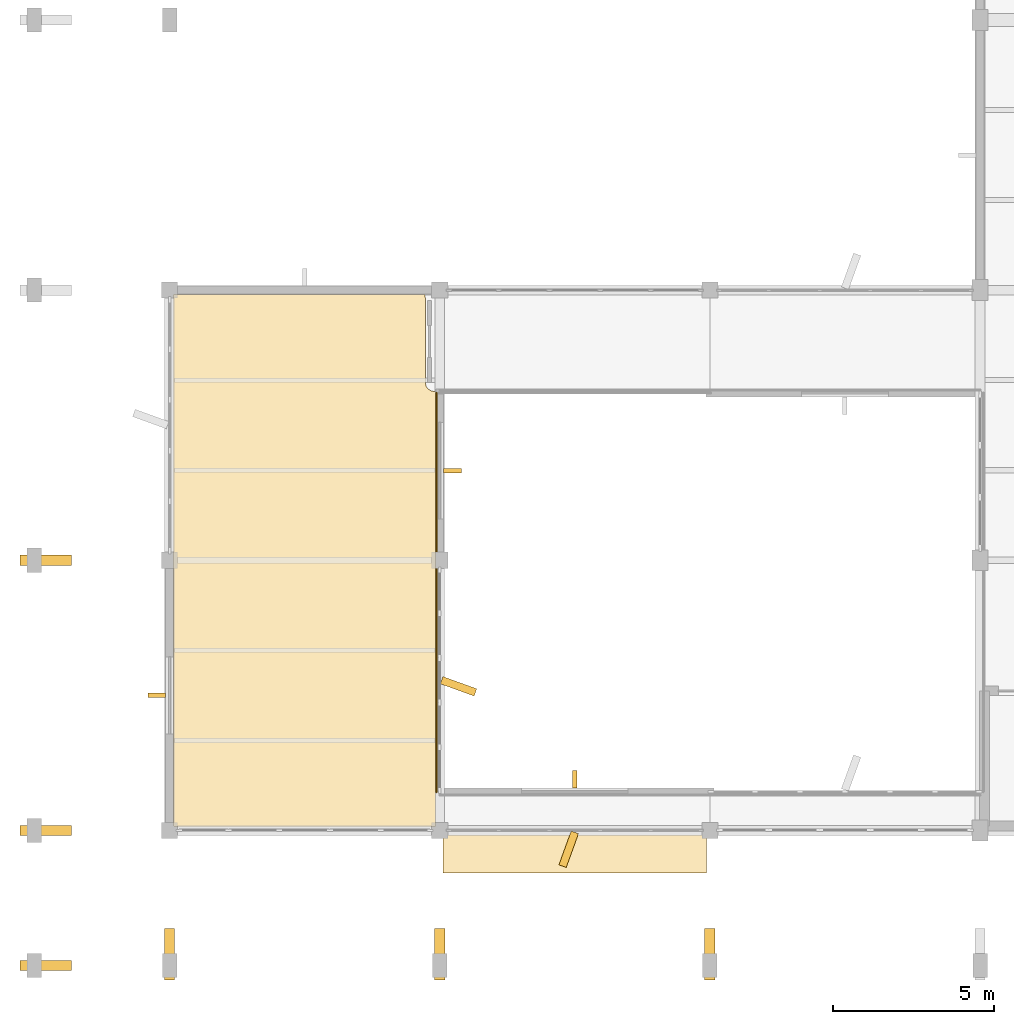
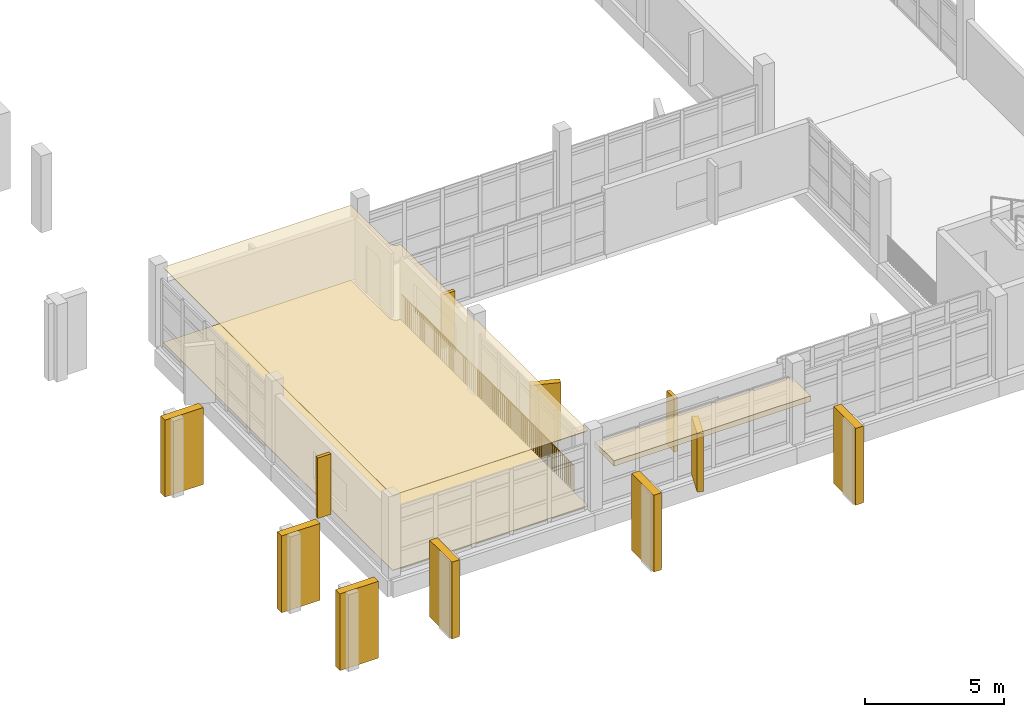
# One storey, part 75 of 104: 11 coverings, 3 shading devices, 1 railing.
"""IFC4 building model written with IfcOpenShell, lengths in metres."""

from ifc_helpers import new_model, si_unit, direction, frame, origin, origin_2d, place, context, subcontext, project, spatial, polyline, rectangle, circle, outline, extrude, material, layer, layer_set, type_object, element, save


model = new_model("IFC4")

# Units and contexts
model_context = context("Model", 3, precision=1e-05, world=origin(), true_north=direction((0.0, 1.0)))
body_context = subcontext(model_context, "Body", "Model", "MODEL_VIEW")
ifc_project = project(units=[si_unit("LENGTHUNIT", "METRE"), si_unit("AREAUNIT", "SQUARE_METRE"), si_unit("VOLUMEUNIT", "CUBIC_METRE"), si_unit("PLANEANGLEUNIT", "RADIAN"), si_unit("MASSUNIT", "GRAM", prefix="KILO")], contexts=[model_context])

# Site, building, storey
site_placement = place(None, origin())
site = spatial("IfcSite", under=ifc_project, at=site_placement, CompositionType="ELEMENT")
building_placement = place(site_placement, origin())
building = spatial("IfcBuilding", under=site, at=building_placement, Name="Vanh Quang Courtyard School", CompositionType="ELEMENT")
storey_placement = place(building_placement, frame((0.0, 0.0, 4.199951171875)))
storey = spatial("IfcBuildingStorey", under=building, at=storey_placement, Name="L01", CompositionType="ELEMENT", Elevation=4.199951171875)

# Coverings
ifc_material_1 = material(Name="Perforated mineral-fibre acoustic ceiling board")
ifc_layer_1 = layer(ifc_material_1, 0.02490234375)
ifc_layer_set_1 = layer_set([ifc_layer_1], Name="Perforated mineral-fibre acoustic ceiling board")
covering_type_1 = type_object("IfcCoveringType", Name="COV-CEIL-ACOUSTIC", PredefinedType="CEILING", material=ifc_layer_set_1)
covering_1_placement = place(storey_placement, frame((0.0, 0.0, 3.295166015625)))
element("IfcCovering", 1, at=covering_1_placement, inside=storey, type_object=covering_type_1, Name="Covering CV-CL1 (L01)", PredefinedType="CEILING", context=body_context, shape_type="SweptSolid", body=[
    extrude(outline(polyline([(4.330078125, 20.860107421875), (4.330078125, 20.861083984375), (4.330078125, 20.862060546875), (4.330322265625, 20.86279296875), (4.330810546875, 20.86376953125), (4.331298828125, 20.86474609375), (4.331787109375, 20.865478515625), (4.332275390625, 20.8662109375), (4.3330078125, 20.8671875), (4.333740234375, 20.86767578125), (4.33447265625, 20.868408203125), (4.335205078125, 20.868896484375), (4.336181640625, 20.869140625), (4.337158203125, 20.86962890625), (4.337890625, 20.869873046875), (4.339111328125, 20.8701171875), (4.340087890625, 20.8701171875), (12.139892578125, 20.8701171875), (12.14111328125, 20.8701171875), (12.141845703125, 20.869873046875), (12.142822265625, 20.86962890625), (12.143798828125, 20.869140625), (12.144775390625, 20.868896484375), (12.1455078125, 20.868408203125), (12.146240234375, 20.86767578125), (12.147216796875, 20.8671875), (12.147705078125, 20.8662109375), (12.148193359375, 20.865478515625), (12.148681640625, 20.86474609375), (12.149169921875, 20.86376953125), (12.149658203125, 20.86279296875), (12.14990234375, 20.862060546875), (12.14990234375, 20.861083984375), (12.14990234375, 20.860107421875), (12.15234375, 18.105224609375), (12.181396484375, 18.0087890625), (12.2119140625, 17.961181640625), (12.251220703125, 17.920166015625), (12.297607421875, 17.8876953125), (12.349609375, 17.864501953125), (12.405029296875, 17.852294921875), (12.46044921875, 17.85009765625), (12.46142578125, 17.849853515625), (12.46240234375, 17.849609375), (12.463134765625, 17.849609375), (12.464111328125, 17.84912109375), (12.465087890625, 17.8486328125), (12.4658203125, 17.84814453125), (12.466552734375, 17.84765625), (12.46728515625, 17.846923828125), (12.4677734375, 17.84619140625), (12.468505859375, 17.845458984375), (12.468994140625, 17.844482421875), (12.46923828125, 17.84375), (12.469482421875, 17.8427734375), (12.4697265625, 17.841796875), (12.469970703125, 17.841064453125), (12.469970703125, 17.840087890625), (12.469970703125, 4.340087890625), (12.469970703125, 4.339111328125), (12.4697265625, 4.337890625), (12.469482421875, 4.337158203125), (12.46923828125, 4.336181640625), (12.46875, 4.335205078125), (12.46826171875, 4.33447265625), (12.4677734375, 4.333740234375), (12.467041015625, 4.3330078125), (12.46630859375, 4.332275390625), (12.465576171875, 4.331787109375), (12.464599609375, 4.331298828125), (12.4638671875, 4.330810546875), (12.462890625, 4.330322265625), (12.4619140625, 4.330078125), (12.4609375, 4.330078125), (12.4599609375, 4.330078125), (4.340087890625, 4.330078125), (4.339111328125, 4.330078125), (4.337890625, 4.330078125), (4.337158203125, 4.330322265625), (4.336181640625, 4.330810546875), (4.335205078125, 4.331298828125), (4.33447265625, 4.331787109375), (4.333740234375, 4.332275390625), (4.3330078125, 4.3330078125), (4.332275390625, 4.333740234375), (4.331787109375, 4.33447265625), (4.331298828125, 4.335205078125), (4.330810546875, 4.336181640625), (4.330322265625, 4.337158203125), (4.330078125, 4.337890625), (4.330078125, 4.339111328125), (4.330078125, 4.340087890625), (4.330078125, 20.860107421875)])), origin(), (0.0, 0.0, 1.0), 0.02490234375),
])
ifc_material_2 = material(Name="Polished cementitious terrazzo tile", Category="concrete")
ifc_layer_2 = layer(ifc_material_2, 0.02001953125)
ifc_layer_set_2 = layer_set([ifc_layer_2], Name="Polished cementitious terrazzo tile")
covering_type_2 = type_object("IfcCoveringType", Name="COV-FLR-TERRAZZO", PredefinedType="FLOORING", material=ifc_layer_set_2)
covering_2_placement = place(storey_placement, origin())
element("IfcCovering", 2, at=covering_2_placement, inside=storey, type_object=covering_type_2, Name="Covering CV-FL1 (L01)", PredefinedType="FLOORING", context=body_context, shape_type="SweptSolid", body=[
    extrude(outline(polyline([(4.330078125, 20.860107421875), (4.330078125, 20.861083984375), (4.330078125, 20.862060546875), (4.330322265625, 20.86279296875), (4.330810546875, 20.86376953125), (4.331298828125, 20.86474609375), (4.331787109375, 20.865478515625), (4.332275390625, 20.8662109375), (4.3330078125, 20.8671875), (4.333740234375, 20.86767578125), (4.33447265625, 20.868408203125), (4.335205078125, 20.868896484375), (4.336181640625, 20.869140625), (4.337158203125, 20.86962890625), (4.337890625, 20.869873046875), (4.339111328125, 20.8701171875), (4.340087890625, 20.8701171875), (12.139892578125, 20.8701171875), (12.14111328125, 20.8701171875), (12.141845703125, 20.869873046875), (12.142822265625, 20.86962890625), (12.143798828125, 20.869140625), (12.144775390625, 20.868896484375), (12.1455078125, 20.868408203125), (12.146240234375, 20.86767578125), (12.147216796875, 20.8671875), (12.147705078125, 20.8662109375), (12.148193359375, 20.865478515625), (12.148681640625, 20.86474609375), (12.149169921875, 20.86376953125), (12.149658203125, 20.86279296875), (12.14990234375, 20.862060546875), (12.14990234375, 20.861083984375), (12.14990234375, 20.860107421875), (12.15234375, 18.105224609375), (12.181396484375, 18.0087890625), (12.2119140625, 17.961181640625), (12.251220703125, 17.920166015625), (12.297607421875, 17.8876953125), (12.349609375, 17.864501953125), (12.405029296875, 17.852294921875), (12.46044921875, 17.85009765625), (12.46142578125, 17.849853515625), (12.46240234375, 17.849609375), (12.463134765625, 17.849609375), (12.464111328125, 17.84912109375), (12.465087890625, 17.8486328125), (12.4658203125, 17.84814453125), (12.466552734375, 17.84765625), (12.46728515625, 17.846923828125), (12.4677734375, 17.84619140625), (12.468505859375, 17.845458984375), (12.468994140625, 17.844482421875), (12.46923828125, 17.84375), (12.469482421875, 17.8427734375), (12.4697265625, 17.841796875), (12.469970703125, 17.841064453125), (12.469970703125, 17.840087890625), (12.469970703125, 4.340087890625), (12.469970703125, 4.339111328125), (12.4697265625, 4.337890625), (12.469482421875, 4.337158203125), (12.46923828125, 4.336181640625), (12.46875, 4.335205078125), (12.46826171875, 4.33447265625), (12.4677734375, 4.333740234375), (12.467041015625, 4.3330078125), (12.46630859375, 4.332275390625), (12.465576171875, 4.331787109375), (12.464599609375, 4.331298828125), (12.4638671875, 4.330810546875), (12.462890625, 4.330322265625), (12.4619140625, 4.330078125), (12.4609375, 4.330078125), (12.4599609375, 4.330078125), (4.340087890625, 4.330078125), (4.339111328125, 4.330078125), (4.337890625, 4.330078125), (4.337158203125, 4.330322265625), (4.336181640625, 4.330810546875), (4.335205078125, 4.331298828125), (4.33447265625, 4.331787109375), (4.333740234375, 4.332275390625), (4.3330078125, 4.3330078125), (4.332275390625, 4.333740234375), (4.331787109375, 4.33447265625), (4.331298828125, 4.335205078125), (4.330810546875, 4.336181640625), (4.330322265625, 4.337158203125), (4.330078125, 4.337890625), (4.330078125, 4.339111328125), (4.330078125, 4.340087890625), (4.330078125, 20.860107421875)])), origin(), (0.0, 0.0, 1.0), 0.02001953125),
])
ifc_material_3 = material(Name="Board-marked precast concrete C40/50", Category="concrete")
ifc_layer_3 = layer(ifc_material_3, 0.239990234375)
ifc_layer_set_3 = layer_set([ifc_layer_3], Name="Board-marked precast concrete C40/50")
covering_type_3 = type_object("IfcCoveringType", Name="COV-HOOD-CONC", PredefinedType="CLADDING", material=ifc_layer_set_3)
covering_3_placement = place(storey_placement, frame((16.800048828125, 3.580078125, 2.5400390625), z_axis=(0.0, 0.0, 1.0), x_axis=(-1.0, 0.0, 0.0)))
element("IfcCovering", 3, at=covering_3_placement, inside=storey, type_object=covering_type_3, Name="Covering CH-01 (L01)", PredefinedType="CLADDING", context=body_context, shape_type="SweptSolid", body=[
    extrude(rectangle(XDim=8.18408203125, YDim=1.39990234375, at=origin_2d()), origin(), (0.0, 0.0, 1.0), 0.239990234375),
])
for number, where, z_axis, x_axis, name in (
    (4, (16.610107421875, 3.614990234375, 0.0), (0.0, 0.0, 1.0), (-0.340379550213, -0.94028812701, 0.0), "Covering CH-01 (L01)"),
    (5, (13.18505859375, 8.680908203125, 0.0), (0.0, 0.0, 1.0), (0.94028812701, -0.340379550213, 0.0), "Covering CH-01 (L01)"),
):
    element("IfcCovering", number, at=place(storey_placement, frame(where, z_axis=z_axis, x_axis=x_axis)), inside=storey, type_object=covering_type_3, Name=name, PredefinedType="CLADDING", context=body_context, shape_type="SweptSolid", body=[
        extrude(rectangle(XDim=1.11669921875, YDim=0.239990234375, at=origin_2d()), origin(), (0.0, 0.0, 1.0), 2.56005859375),
    ])
for number, where, z_axis, x_axis, name in (
    (6, (0.35009765625, 0.0, 0.0), (0.0, 0.0, 1.0), (1.0, 0.0, 0.0), "Covering CH-01 (L01)"),
    (7, (0.35009765625, 4.199951171875, 0.0), (0.0, 0.0, 1.0), (1.0, 0.0, 0.0), "Covering CH-01 (L01)"),
    (8, (0.35009765625, 12.60009765625, 0.0), (0.0, 0.0, 1.0), (1.0, 0.0, 0.0), "Covering CH-01 (L01)"),
    (9, (4.199951171875, 0.35009765625, 0.0), (0.0, 0.0, 1.0), (0.0, 1.0, 0.0), "Covering CH-01 (L01)"),
    (10, (12.60009765625, 0.35009765625, 0.0), (0.0, 0.0, 1.0), (0.0, 1.0, 0.0), "Covering CH-01 (L01)"),
    (11, (21.0, 0.35009765625, 0.0), (0.0, 0.0, 1.0), (0.0, 1.0, 0.0), "Covering CH-01 (L01)"),
):
    element("IfcCovering", number, at=place(storey_placement, frame(where, z_axis=z_axis, x_axis=x_axis)), inside=storey, type_object=covering_type_3, Name=name, PredefinedType="CLADDING", context=body_context, shape_type="SweptSolid", body=[
        extrude(rectangle(XDim=1.60009765625, YDim=0.320068359375, at=origin_2d()), origin(), (0.0, 0.0, 1.0), 3.3798828125),
    ])

# Railing
ifc_material_4 = material(Name="Galvanised painted steel EN 10025-2 S355J2", Category="steel")
railing_type = type_object("IfcRailingType", Name="RAIL-GUARD-1150", PredefinedType="BALUSTRADE", material=ifc_material_4)
railing_placement = place(storey_placement, frame((12.5, 17.800048828125, 0.0)))
element("IfcRailing", 12, at=railing_placement, inside=storey, type_object=railing_type, Name="Railing GR-01 (L01)", PredefinedType="BALUSTRADE", context=body_context, shape_type="SweptSolid", body=[
    extrude(circle(Radius=0.02392578125, at=origin_2d()), frame((0.0, 0.0, 1.1259765625), z_axis=(0.0, -1.0, 0.0), x_axis=(1.0, 0.0, 0.0)), (0.0, 0.0, 1.0), 12.400146484375),
    extrude(circle(Radius=0.02099609375, at=origin_2d()), origin(), (0.0, 0.0, 1.0), 1.101806640625),
    extrude(circle(Radius=0.02099609375, at=origin_2d()), frame((0.0, -0.139404296875, 0.0)), (0.0, 0.0, 1.0), 1.101806640625),
    extrude(circle(Radius=0.02099609375, at=origin_2d()), frame((0.0, -0.278564453125, 0.0)), (0.0, 0.0, 1.0), 1.101806640625),
    extrude(circle(Radius=0.02099609375, at=origin_2d()), frame((0.0, -0.41796875, 0.0)), (0.0, 0.0, 1.0), 1.101806640625),
    extrude(circle(Radius=0.02099609375, at=origin_2d()), frame((0.0, -0.557373046875, 0.0)), (0.0, 0.0, 1.0), 1.101806640625),
    extrude(circle(Radius=0.02099609375, at=origin_2d()), frame((0.0, -0.696533203125, 0.0)), (0.0, 0.0, 1.0), 1.101806640625),
    extrude(circle(Radius=0.02099609375, at=origin_2d()), frame((0.0, -0.8359375, 0.0)), (0.0, 0.0, 1.0), 1.101806640625),
    extrude(circle(Radius=0.02099609375, at=origin_2d()), frame((0.0, -0.975341796875, 0.0)), (0.0, 0.0, 1.0), 1.101806640625),
    extrude(circle(Radius=0.02099609375, at=origin_2d()), frame((0.0, -1.114501953125, 0.0)), (0.0, 0.0, 1.0), 1.101806640625),
    extrude(circle(Radius=0.02099609375, at=origin_2d()), frame((0.0, -1.25390625, 0.0)), (0.0, 0.0, 1.0), 1.101806640625),
    extrude(circle(Radius=0.02099609375, at=origin_2d()), frame((0.0, -1.393310546875, 0.0)), (0.0, 0.0, 1.0), 1.101806640625),
    extrude(circle(Radius=0.02099609375, at=origin_2d()), frame((0.0, -1.53271484375, 0.0)), (0.0, 0.0, 1.0), 1.101806640625),
    extrude(circle(Radius=0.02099609375, at=origin_2d()), frame((0.0, -1.671875, 0.0)), (0.0, 0.0, 1.0), 1.101806640625),
    extrude(circle(Radius=0.02099609375, at=origin_2d()), frame((0.0, -1.811279296875, 0.0)), (0.0, 0.0, 1.0), 1.101806640625),
    extrude(circle(Radius=0.02099609375, at=origin_2d()), frame((0.0, -1.95068359375, 0.0)), (0.0, 0.0, 1.0), 1.101806640625),
    extrude(circle(Radius=0.02099609375, at=origin_2d()), frame((0.0, -2.08984375, 0.0)), (0.0, 0.0, 1.0), 1.101806640625),
    extrude(circle(Radius=0.02099609375, at=origin_2d()), frame((0.0, -2.229248046875, 0.0)), (0.0, 0.0, 1.0), 1.101806640625),
    extrude(circle(Radius=0.02099609375, at=origin_2d()), frame((0.0, -2.36865234375, 0.0)), (0.0, 0.0, 1.0), 1.101806640625),
    extrude(circle(Radius=0.02099609375, at=origin_2d()), frame((0.0, -2.5078125, 0.0)), (0.0, 0.0, 1.0), 1.101806640625),
    extrude(circle(Radius=0.02099609375, at=origin_2d()), frame((0.0, -2.647216796875, 0.0)), (0.0, 0.0, 1.0), 1.101806640625),
    extrude(circle(Radius=0.02099609375, at=origin_2d()), frame((0.0, -2.78662109375, 0.0)), (0.0, 0.0, 1.0), 1.101806640625),
    extrude(circle(Radius=0.02099609375, at=origin_2d()), frame((0.0, -2.92578125, 0.0)), (0.0, 0.0, 1.0), 1.101806640625),
    extrude(circle(Radius=0.02099609375, at=origin_2d()), frame((0.0, -3.065185546875, 0.0)), (0.0, 0.0, 1.0), 1.101806640625),
    extrude(circle(Radius=0.02099609375, at=origin_2d()), frame((0.0, -3.20458984375, 0.0)), (0.0, 0.0, 1.0), 1.101806640625),
    extrude(circle(Radius=0.02099609375, at=origin_2d()), frame((0.0, -3.34375, 0.0)), (0.0, 0.0, 1.0), 1.101806640625),
    extrude(circle(Radius=0.02099609375, at=origin_2d()), frame((0.0, -3.483154296875, 0.0)), (0.0, 0.0, 1.0), 1.101806640625),
    extrude(circle(Radius=0.02099609375, at=origin_2d()), frame((0.0, -3.62255859375, 0.0)), (0.0, 0.0, 1.0), 1.101806640625),
    extrude(circle(Radius=0.02099609375, at=origin_2d()), frame((0.0, -3.761962890625, 0.0)), (0.0, 0.0, 1.0), 1.101806640625),
    extrude(circle(Radius=0.02099609375, at=origin_2d()), frame((0.0, -3.901123046875, 0.0)), (0.0, 0.0, 1.0), 1.101806640625),
    extrude(circle(Radius=0.02099609375, at=origin_2d()), frame((0.0, -4.04052734375, 0.0)), (0.0, 0.0, 1.0), 1.101806640625),
    extrude(circle(Radius=0.02099609375, at=origin_2d()), frame((0.0, -4.179931640625, 0.0)), (0.0, 0.0, 1.0), 1.101806640625),
    extrude(circle(Radius=0.02099609375, at=origin_2d()), frame((0.0, -4.319091796875, 0.0)), (0.0, 0.0, 1.0), 1.101806640625),
    extrude(circle(Radius=0.02099609375, at=origin_2d()), frame((0.0, -4.45849609375, 0.0)), (0.0, 0.0, 1.0), 1.101806640625),
    extrude(circle(Radius=0.02099609375, at=origin_2d()), frame((0.0, -4.597900390625, 0.0)), (0.0, 0.0, 1.0), 1.101806640625),
    extrude(circle(Radius=0.02099609375, at=origin_2d()), frame((0.0, -4.737060546875, 0.0)), (0.0, 0.0, 1.0), 1.101806640625),
    extrude(circle(Radius=0.02099609375, at=origin_2d()), frame((0.0, -4.87646484375, 0.0)), (0.0, 0.0, 1.0), 1.101806640625),
    extrude(circle(Radius=0.02099609375, at=origin_2d()), frame((0.0, -5.015869140625, 0.0)), (0.0, 0.0, 1.0), 1.101806640625),
    extrude(circle(Radius=0.02099609375, at=origin_2d()), frame((0.0, -5.155029296875, 0.0)), (0.0, 0.0, 1.0), 1.101806640625),
    extrude(circle(Radius=0.02099609375, at=origin_2d()), frame((0.0, -5.29443359375, 0.0)), (0.0, 0.0, 1.0), 1.101806640625),
    extrude(circle(Radius=0.02099609375, at=origin_2d()), frame((0.0, -5.433837890625, 0.0)), (0.0, 0.0, 1.0), 1.101806640625),
    extrude(circle(Radius=0.02099609375, at=origin_2d()), frame((0.0, -5.572998046875, 0.0)), (0.0, 0.0, 1.0), 1.101806640625),
    extrude(circle(Radius=0.02099609375, at=origin_2d()), frame((0.0, -5.71240234375, 0.0)), (0.0, 0.0, 1.0), 1.101806640625),
    extrude(circle(Radius=0.02099609375, at=origin_2d()), frame((0.0, -5.851806640625, 0.0)), (0.0, 0.0, 1.0), 1.101806640625),
    extrude(circle(Radius=0.02099609375, at=origin_2d()), frame((0.0, -5.990966796875, 0.0)), (0.0, 0.0, 1.0), 1.101806640625),
    extrude(circle(Radius=0.02099609375, at=origin_2d()), frame((0.0, -6.13037109375, 0.0)), (0.0, 0.0, 1.0), 1.101806640625),
    extrude(circle(Radius=0.02099609375, at=origin_2d()), frame((0.0, -6.269775390625, 0.0)), (0.0, 0.0, 1.0), 1.101806640625),
    extrude(circle(Radius=0.02099609375, at=origin_2d()), frame((0.0, -6.4091796875, 0.0)), (0.0, 0.0, 1.0), 1.101806640625),
    extrude(circle(Radius=0.02099609375, at=origin_2d()), frame((0.0, -6.54833984375, 0.0)), (0.0, 0.0, 1.0), 1.101806640625),
    extrude(circle(Radius=0.02099609375, at=origin_2d()), frame((0.0, -6.687744140625, 0.0)), (0.0, 0.0, 1.0), 1.101806640625),
    extrude(circle(Radius=0.02099609375, at=origin_2d()), frame((0.0, -6.8271484375, 0.0)), (0.0, 0.0, 1.0), 1.101806640625),
    extrude(circle(Radius=0.02099609375, at=origin_2d()), frame((0.0, -6.96630859375, 0.0)), (0.0, 0.0, 1.0), 1.101806640625),
    extrude(circle(Radius=0.02099609375, at=origin_2d()), frame((0.0, -7.105712890625, 0.0)), (0.0, 0.0, 1.0), 1.101806640625),
    extrude(circle(Radius=0.02099609375, at=origin_2d()), frame((0.0, -7.2451171875, 0.0)), (0.0, 0.0, 1.0), 1.101806640625),
    extrude(circle(Radius=0.02099609375, at=origin_2d()), frame((0.0, -7.38427734375, 0.0)), (0.0, 0.0, 1.0), 1.101806640625),
    extrude(circle(Radius=0.02099609375, at=origin_2d()), frame((0.0, -7.523681640625, 0.0)), (0.0, 0.0, 1.0), 1.101806640625),
    extrude(circle(Radius=0.02099609375, at=origin_2d()), frame((0.0, -7.6630859375, 0.0)), (0.0, 0.0, 1.0), 1.101806640625),
    extrude(circle(Radius=0.02099609375, at=origin_2d()), frame((0.0, -7.80224609375, 0.0)), (0.0, 0.0, 1.0), 1.101806640625),
    extrude(circle(Radius=0.02099609375, at=origin_2d()), frame((0.0, -7.941650390625, 0.0)), (0.0, 0.0, 1.0), 1.101806640625),
    extrude(circle(Radius=0.02099609375, at=origin_2d()), frame((0.0, -8.0810546875, 0.0)), (0.0, 0.0, 1.0), 1.101806640625),
    extrude(circle(Radius=0.02099609375, at=origin_2d()), frame((0.0, -8.22021484375, 0.0)), (0.0, 0.0, 1.0), 1.101806640625),
    extrude(circle(Radius=0.02099609375, at=origin_2d()), frame((0.0, -8.359619140625, 0.0)), (0.0, 0.0, 1.0), 1.101806640625),
    extrude(circle(Radius=0.02099609375, at=origin_2d()), frame((0.0, -8.4990234375, 0.0)), (0.0, 0.0, 1.0), 1.101806640625),
    extrude(circle(Radius=0.02099609375, at=origin_2d()), frame((0.0, -8.63818359375, 0.0)), (0.0, 0.0, 1.0), 1.101806640625),
    extrude(circle(Radius=0.02099609375, at=origin_2d()), frame((0.0, -8.777587890625, 0.0)), (0.0, 0.0, 1.0), 1.101806640625),
    extrude(circle(Radius=0.02099609375, at=origin_2d()), frame((0.0, -8.9169921875, 0.0)), (0.0, 0.0, 1.0), 1.101806640625),
    extrude(circle(Radius=0.02099609375, at=origin_2d()), frame((0.0, -9.056396484375, 0.0)), (0.0, 0.0, 1.0), 1.101806640625),
    extrude(circle(Radius=0.02099609375, at=origin_2d()), frame((0.0, -9.195556640625, 0.0)), (0.0, 0.0, 1.0), 1.101806640625),
    extrude(circle(Radius=0.02099609375, at=origin_2d()), frame((0.0, -9.3349609375, 0.0)), (0.0, 0.0, 1.0), 1.101806640625),
    extrude(circle(Radius=0.02099609375, at=origin_2d()), frame((0.0, -9.474365234375, 0.0)), (0.0, 0.0, 1.0), 1.101806640625),
    extrude(circle(Radius=0.02099609375, at=origin_2d()), frame((0.0, -9.613525390625, 0.0)), (0.0, 0.0, 1.0), 1.101806640625),
    extrude(circle(Radius=0.02099609375, at=origin_2d()), frame((0.0, -9.7529296875, 0.0)), (0.0, 0.0, 1.0), 1.101806640625),
    extrude(circle(Radius=0.02099609375, at=origin_2d()), frame((0.0, -9.892333984375, 0.0)), (0.0, 0.0, 1.0), 1.101806640625),
    extrude(circle(Radius=0.02099609375, at=origin_2d()), frame((0.0, -10.031494140625, 0.0)), (0.0, 0.0, 1.0), 1.101806640625),
    extrude(circle(Radius=0.02099609375, at=origin_2d()), frame((0.0, -10.1708984375, 0.0)), (0.0, 0.0, 1.0), 1.101806640625),
    extrude(circle(Radius=0.02099609375, at=origin_2d()), frame((0.0, -10.310302734375, 0.0)), (0.0, 0.0, 1.0), 1.101806640625),
    extrude(circle(Radius=0.02099609375, at=origin_2d()), frame((0.0, -10.449462890625, 0.0)), (0.0, 0.0, 1.0), 1.101806640625),
    extrude(circle(Radius=0.02099609375, at=origin_2d()), frame((0.0, -10.5888671875, 0.0)), (0.0, 0.0, 1.0), 1.101806640625),
    extrude(circle(Radius=0.02099609375, at=origin_2d()), frame((0.0, -10.728271484375, 0.0)), (0.0, 0.0, 1.0), 1.101806640625),
    extrude(circle(Radius=0.02099609375, at=origin_2d()), frame((0.0, -10.867431640625, 0.0)), (0.0, 0.0, 1.0), 1.101806640625),
    extrude(circle(Radius=0.02099609375, at=origin_2d()), frame((0.0, -11.0068359375, 0.0)), (0.0, 0.0, 1.0), 1.101806640625),
    extrude(circle(Radius=0.02099609375, at=origin_2d()), frame((0.0, -11.146240234375, 0.0)), (0.0, 0.0, 1.0), 1.101806640625),
    extrude(circle(Radius=0.02099609375, at=origin_2d()), frame((0.0, -11.28564453125, 0.0)), (0.0, 0.0, 1.0), 1.101806640625),
    extrude(circle(Radius=0.02099609375, at=origin_2d()), frame((0.0, -11.4248046875, 0.0)), (0.0, 0.0, 1.0), 1.101806640625),
    extrude(circle(Radius=0.02099609375, at=origin_2d()), frame((0.0, -11.564208984375, 0.0)), (0.0, 0.0, 1.0), 1.101806640625),
    extrude(circle(Radius=0.02099609375, at=origin_2d()), frame((0.0, -11.70361328125, 0.0)), (0.0, 0.0, 1.0), 1.101806640625),
    extrude(circle(Radius=0.02099609375, at=origin_2d()), frame((0.0, -11.8427734375, 0.0)), (0.0, 0.0, 1.0), 1.101806640625),
    extrude(circle(Radius=0.02099609375, at=origin_2d()), frame((0.0, -11.982177734375, 0.0)), (0.0, 0.0, 1.0), 1.101806640625),
    extrude(circle(Radius=0.02099609375, at=origin_2d()), frame((0.0, -12.12158203125, 0.0)), (0.0, 0.0, 1.0), 1.101806640625),
    extrude(circle(Radius=0.02099609375, at=origin_2d()), frame((0.0, -12.2607421875, 0.0)), (0.0, 0.0, 1.0), 1.101806640625),
    extrude(circle(Radius=0.02099609375, at=origin_2d()), frame((0.0, -12.400146484375, 0.0)), (0.0, 0.0, 1.0), 1.101806640625),
])

# Shading devices
shading_device_type = type_object("IfcShadingDeviceType", Name="SHD-FIN-CONCRETE", PredefinedType="USERDEFINED", material=ifc_material_3)
shading_device_placement = place(storey_placement, frame((3.804931640625, 8.39990234375, 0.14990234375), z_axis=(0.0, 0.0, 1.0), x_axis=(0.0, 1.0, 0.0)))
element("IfcShadingDevice", 13, at=shading_device_placement, inside=storey, type_object=shading_device_type, Name="Solar Shading SH-02 (L01)", ObjectType="Solar Shading SH-02 (L01)", PredefinedType="USERDEFINED", context=body_context, shape_type="SweptSolid", body=[
    extrude(rectangle(XDim=0.139892578125, YDim=0.550048828125, at=origin_2d()), origin(), (0.0, 0.0, 1.0), 2.659912109375),
])
for number, where, z_axis, x_axis, name in (
    (14, (12.9951171875, 15.384033203125, 0.14990234375), (0.0, 0.0, 1.0), (0.0, -1.0, 0.0), "Solar Shading SH-02 (L01)"),
    (15, (16.800048828125, 5.794921875, 0.14990234375), (0.0, 0.0, 1.0), (1.0, 0.0, 0.0), "Solar Shading SH-02 (L01)"),
):
    element("IfcShadingDevice", number, at=place(storey_placement, frame(where, z_axis=z_axis, x_axis=x_axis)), inside=storey, type_object=shading_device_type, Name=name, ObjectType="Solar Shading SH-02 (L01)", PredefinedType="USERDEFINED", context=body_context, shape_type="SweptSolid", body=[
        extrude(rectangle(XDim=0.139892578125, YDim=0.550048828125, at=origin_2d()), origin(), (0.0, 0.0, 1.0), 2.3701171875),
    ])

save(model, "model.ifc")
